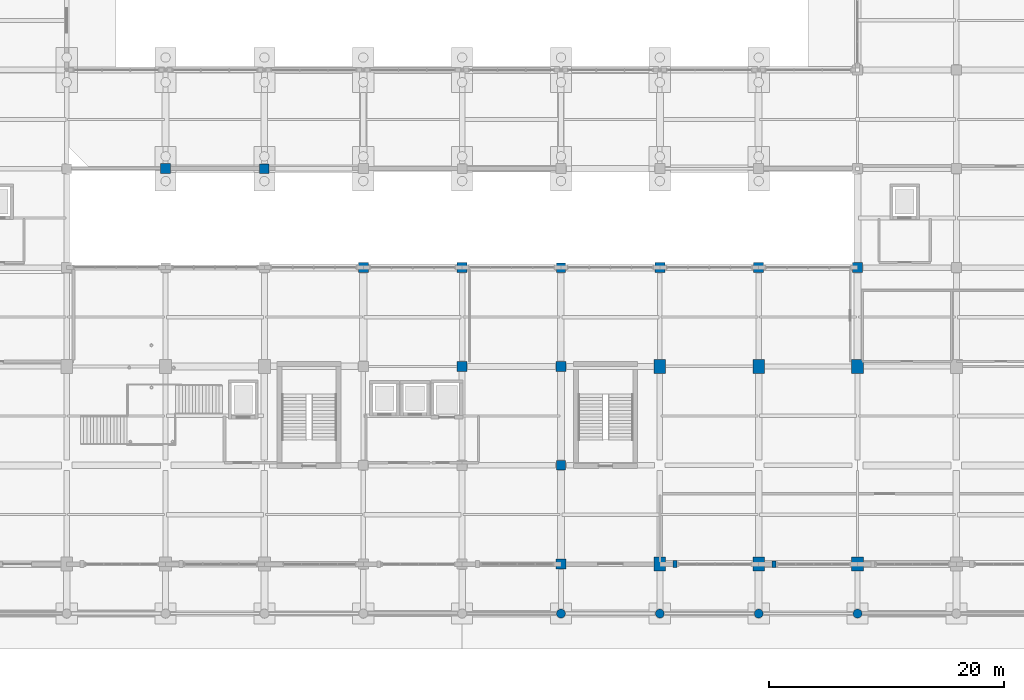
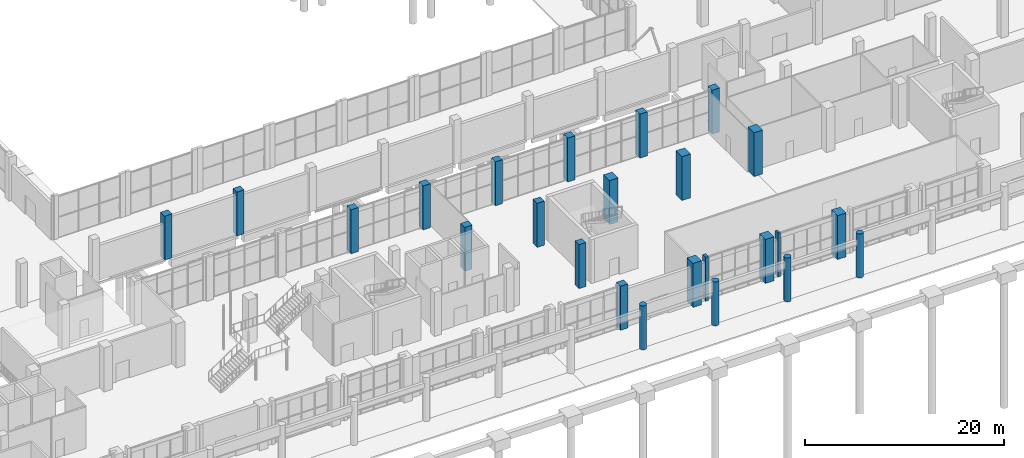
# One storey, part 11 of 82: 24 columns.
"""IFC4 building model written with IfcOpenShell, lengths in metres."""

from ifc_helpers import new_model, si_unit, derived_unit, direction, frame, origin, origin_2d, place, context, subcontext, project, spatial, rectangle, circle, extrude, material, material_profile, profile_set, type_object, element, save


model = new_model("IFC4")

# Units and contexts
model_context = context("Model", 3, precision=1e-05, world=origin(), true_north=direction((0.0, 1.0)))
body_context = subcontext(model_context, "Body", "Model", "MODEL_VIEW")
ifc_project = project(units=[si_unit("LENGTHUNIT", "METRE"), si_unit("AREAUNIT", "SQUARE_METRE"), si_unit("VOLUMEUNIT", "CUBIC_METRE"), si_unit("PLANEANGLEUNIT", "RADIAN"), si_unit("MASSUNIT", "GRAM", prefix="KILO"), derived_unit("THERMALTRANSMITTANCEUNIT", [(si_unit("POWERUNIT", "WATT"), 1), (si_unit("LENGTHUNIT", "METRE"), -2), (si_unit("THERMODYNAMICTEMPERATUREUNIT", "KELVIN"), -1)])], contexts=[model_context])

# Site, building, storey
site_placement = place(None, origin())
site = spatial("IfcSite", under=ifc_project, at=site_placement, CompositionType="ELEMENT")
building_placement = place(site_placement, origin())
building = spatial("IfcBuilding", under=site, at=building_placement, Name="Barrovel Congress Hotel", CompositionType="ELEMENT")
storey_placement = place(building_placement, origin())
storey = spatial("IfcBuildingStorey", under=building, at=storey_placement, Name="L00", CompositionType="ELEMENT", Elevation=0.0)

# Columns
ifc_material_1 = material(Name="Concrete C40", Category="concrete")
ifc_material_profile_1 = material_profile(ifc_material_1, circle(Radius=0.375, at=origin_2d()), Name="RC-D750")
ifc_profile_set_1 = profile_set([ifc_material_profile_1], Name="Concrete C40")
column_type_1 = type_object("IfcColumnType", Name="COL-RC-D750", PredefinedType="COLUMN", material=ifc_profile_set_1)
for number, where, z_axis, x_axis, name in (
    (1, (100.800048828125, 0.0, 0.0), (0.0, 0.0, 1.0), (1.0, 0.0, 0.0), "COL:L00:100.8:0.0"),
    (2, (109.199951171875, 0.0, 0.0), (0.0, 0.0, 1.0), (1.0, 0.0, 0.0), "COL:L00:109.2:0.0"),
    (3, (117.60009765625, 0.0, 0.0), (0.0, 0.0, 1.0), (1.0, 0.0, 0.0), "COL:L00:117.6:0.0"),
    (4, (126.0, 0.0, 0.0), (0.0, 0.0, 1.0), (1.0, 0.0, 0.0), "COL:L00:126.0:0.0"),
):
    element("IfcColumn", number, at=place(storey_placement, frame(where, z_axis=z_axis, x_axis=x_axis)), inside=storey, type_object=column_type_1, Name=name, PredefinedType="COLUMN", context=body_context, shape_type="SweptSolid", body=[
        extrude(circle(Radius=0.375, at=origin_2d()), origin(), (0.0, 0.0, 1.0), 5.39990234375),
    ])
ifc_material_2 = material(Name="Concrete C50", Category="concrete")
ifc_material_profile_2 = material_profile(ifc_material_2, rectangle(XDim=1.0, YDim=1.199951171875, at=origin_2d()), Name="RC1000x1200")
ifc_profile_set_2 = profile_set([ifc_material_profile_2], Name="Concrete C50")
column_type_2 = type_object("IfcColumnType", Name="COL-RC1000x1200", PredefinedType="COLUMN", material=ifc_profile_set_2)
for number, where, z_axis, x_axis, name in (
    (5, (109.199951171875, 4.199951171875, 0.0), (0.0, 0.0, 1.0), (1.0, 0.0, 0.0), "COL:L00:109.2:4.2"),
    (6, (109.199951171875, 21.0, 0.0), (0.0, 0.0, 1.0), (1.0, 0.0, 0.0), "COL:L00:109.2:21.0"),
    (7, (117.60009765625, 4.199951171875, 0.0), (0.0, 0.0, 1.0), (1.0, 0.0, 0.0), "COL:L00:117.6:4.2"),
    (8, (117.60009765625, 21.0, 0.0), (0.0, 0.0, 1.0), (1.0, 0.0, 0.0), "COL:L00:117.6:21.0"),
    (9, (126.0, 4.199951171875, 0.0), (0.0, 0.0, 1.0), (1.0, 0.0, 0.0), "COL:L00:126.0:4.2"),
    (10, (126.0, 21.0, 0.0), (0.0, 0.0, 1.0), (1.0, 0.0, 0.0), "COL:L00:126.0:21.0"),
):
    element("IfcColumn", number, at=place(storey_placement, frame(where, z_axis=z_axis, x_axis=x_axis)), inside=storey, type_object=column_type_2, Name=name, PredefinedType="COLUMN", context=body_context, shape_type="SweptSolid", body=[
        extrude(rectangle(XDim=1.0, YDim=1.199951171875, at=origin_2d()), origin(), (0.0, 0.0, 1.0), 5.39990234375),
    ])
ifc_material_profile_3 = material_profile(ifc_material_1, rectangle(XDim=0.800048828125, YDim=0.800048828125, at=origin_2d()), Name="RC800x800")
ifc_profile_set_3 = profile_set([ifc_material_profile_3], Name="Concrete C40")
column_type_3 = type_object("IfcColumnType", Name="COL-RC800x800", PredefinedType="COLUMN", material=ifc_profile_set_3)
for number, where, z_axis, x_axis, name in (
    (11, (75.60009765625, 37.800048828125, 0.0), (0.0, 0.0, 1.0), (1.0, 0.0, 0.0), "COL:L00:75.6:37.8"),
    (12, (100.800048828125, 12.60009765625, 0.0), (0.0, 0.0, 1.0), (1.0, 0.0, 0.0), "COL:L00:100.8:12.6"),
    (13, (100.800048828125, 29.39990234375, 0.0), (0.0, 0.0, 1.0), (1.0, 0.0, 0.0), "COL:L00:100.8:29.4"),
):
    element("IfcColumn", number, at=place(storey_placement, frame(where, z_axis=z_axis, x_axis=x_axis)), inside=storey, type_object=column_type_3, Name=name, PredefinedType="COLUMN", context=body_context, shape_type="SweptSolid", body=[
        extrude(rectangle(XDim=0.800048828125, YDim=0.800048828125, at=origin_2d()), origin(), (0.0, 0.0, 1.0), 5.39990234375),
    ])
ifc_material_profile_4 = material_profile(ifc_material_1, rectangle(XDim=0.85009765625, YDim=0.85009765625, at=origin_2d()), Name="RC850x850")
ifc_profile_set_4 = profile_set([ifc_material_profile_4], Name="Concrete C40")
column_type_4 = type_object("IfcColumnType", Name="COL-RC850x850", PredefinedType="COLUMN", material=ifc_profile_set_4)
for number, where, z_axis, x_axis, name in (
    (14, (67.199951171875, 37.800048828125, 0.0), (0.0, 0.0, 1.0), (1.0, 0.0, 0.0), "COL:L00:67.2:37.8"),
    (15, (84.0, 29.39990234375, 0.0), (0.0, 0.0, 1.0), (1.0, 0.0, 0.0), "COL:L00:84.0:29.4"),
    (16, (92.39990234375, 21.0, 0.0), (0.0, 0.0, 1.0), (1.0, 0.0, 0.0), "COL:L00:92.4:21.0"),
    (17, (92.39990234375, 29.39990234375, 0.0), (0.0, 0.0, 1.0), (1.0, 0.0, 0.0), "COL:L00:92.4:29.4"),
    (18, (100.800048828125, 4.199951171875, 0.0), (0.0, 0.0, 1.0), (1.0, 0.0, 0.0), "COL:L00:100.8:4.2"),
    (19, (100.800048828125, 21.0, 0.0), (0.0, 0.0, 1.0), (1.0, 0.0, 0.0), "COL:L00:100.8:21.0"),
    (20, (109.199951171875, 29.39990234375, 0.0), (0.0, 0.0, 1.0), (1.0, 0.0, 0.0), "COL:L00:109.2:29.4"),
    (21, (117.60009765625, 29.39990234375, 0.0), (0.0, 0.0, 1.0), (1.0, 0.0, 0.0), "COL:L00:117.6:29.4"),
    (22, (126.0, 29.39990234375, 0.0), (0.0, 0.0, 1.0), (1.0, 0.0, 0.0), "COL:L00:126.0:29.4"),
):
    element("IfcColumn", number, at=place(storey_placement, frame(where, z_axis=z_axis, x_axis=x_axis)), inside=storey, type_object=column_type_4, Name=name, PredefinedType="COLUMN", context=body_context, shape_type="SweptSolid", body=[
        extrude(rectangle(XDim=0.85009765625, YDim=0.85009765625, at=origin_2d()), origin(), (0.0, 0.0, 1.0), 5.39990234375),
    ])
ifc_material_profile_5 = material_profile(ifc_material_1, rectangle(XDim=0.300048828125, YDim=0.550048828125, at=origin_2d()), Name="RC300x550")
ifc_profile_set_5 = profile_set([ifc_material_profile_5], Name="Concrete C40")
column_type_5 = type_object("IfcColumnType", Name="PIL-RC300x550", PredefinedType="PILASTER", material=ifc_profile_set_5)
column_1_placement = place(storey_placement, frame((118.89990234375, 4.199951171875, 0.0), z_axis=(0.0, 0.0, 1.0), x_axis=(1.0, 0.0, 0.0)))
element("IfcColumn", 23, at=column_1_placement, inside=storey, type_object=column_type_5, Name="PIL:L00:S:118.9", PredefinedType="PILASTER", context=body_context, shape_type="SweptSolid", body=[
    extrude(rectangle(XDim=0.300048828125, YDim=0.550048828125, at=origin_2d()), origin(), (0.0, 0.0, 1.0), 5.39990234375),
])
ifc_material_profile_6 = material_profile(ifc_material_1, rectangle(XDim=0.35009765625, YDim=0.60009765625, at=origin_2d()), Name="RC350x600")
ifc_profile_set_6 = profile_set([ifc_material_profile_6], Name="Concrete C40")
column_type_6 = type_object("IfcColumnType", Name="PIL-RC350x600", PredefinedType="PILASTER", material=ifc_profile_set_6)
column_2_placement = place(storey_placement, frame((110.5, 4.199951171875, 0.0), z_axis=(0.0, 0.0, 1.0), x_axis=(1.0, 0.0, 0.0)))
element("IfcColumn", 24, at=column_2_placement, inside=storey, type_object=column_type_6, Name="PIL:L00:S:110.5", PredefinedType="PILASTER", context=body_context, shape_type="SweptSolid", body=[
    extrude(rectangle(XDim=0.35009765625, YDim=0.60009765625, at=origin_2d()), origin(), (0.0, 0.0, 1.0), 5.39990234375),
])

save(model, "model.ifc")
